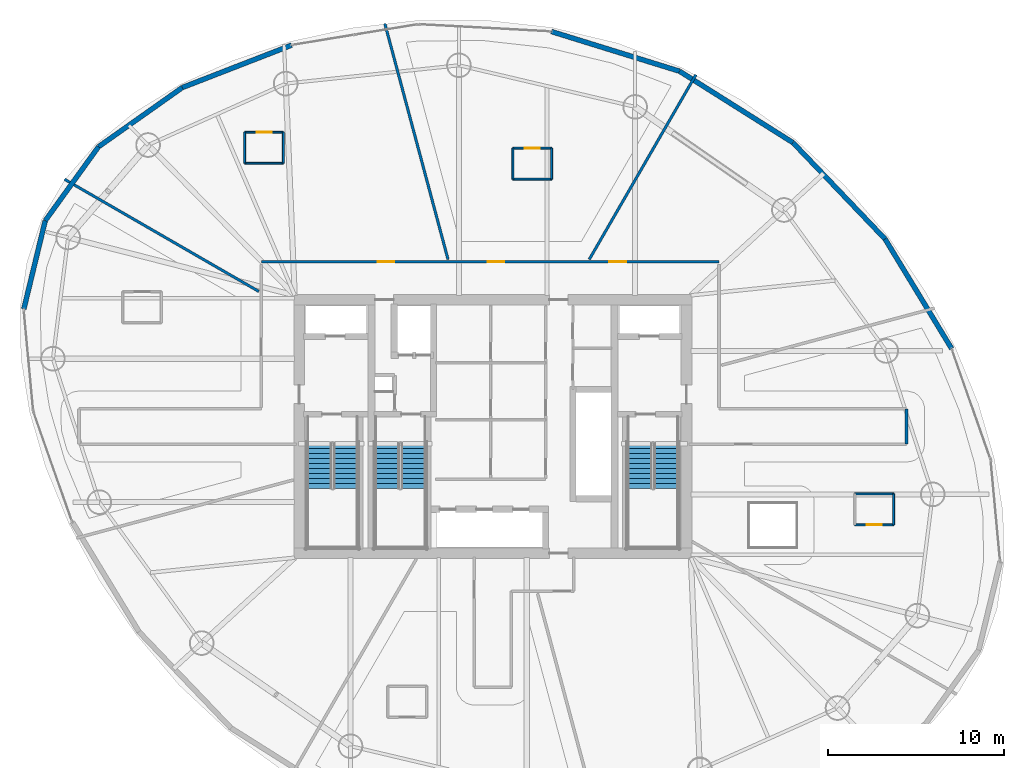
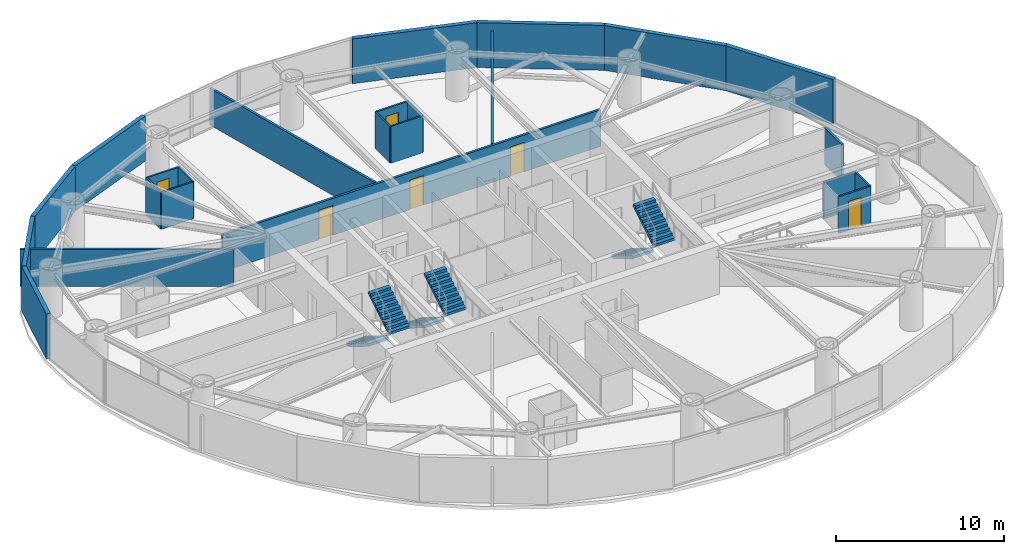
# One storey, part 17 of 20: 24 walls, 6 doors, 6 stair flights, 6 openings, 3 elements without a shape of their own.
"""IFC4 building model written with IfcOpenShell, lengths in metres."""

from ifc_helpers import new_model, si_unit, direction, frame, frame_2d, origin, place, context, subcontext, project, spatial, polyline, rectangle, outline, extrude, material, layer, layer_set, type_object, element, fill, aggregate, save


model = new_model("IFC4")

# Units and contexts
model_context = context("Model", 3, precision=1e-05, world=origin(), true_north=direction((0.0, 1.0)))
body_context = subcontext(model_context, "Body", "Model", "MODEL_VIEW")
ifc_project = project(units=[si_unit("LENGTHUNIT", "METRE"), si_unit("AREAUNIT", "SQUARE_METRE"), si_unit("VOLUMEUNIT", "CUBIC_METRE"), si_unit("PLANEANGLEUNIT", "RADIAN"), si_unit("MASSUNIT", "GRAM", prefix="KILO")], contexts=[model_context])

# Site, building, storey
site_placement = place(None, origin())
site = spatial("IfcSite", under=ifc_project, at=site_placement, CompositionType="ELEMENT")
building_placement = place(site_placement, origin())
building = spatial("IfcBuilding", under=site, at=building_placement, Name="Bramvorn Convention Spire", CompositionType="ELEMENT")
storey_placement = place(building_placement, frame((0.0, 0.0, 130.800048828125)))
storey = spatial("IfcBuildingStorey", under=building, at=storey_placement, Name="L32", CompositionType="ELEMENT", Elevation=130.800048828125)

# Walls
ifc_material_1 = material(Name="Precast Concrete C40/50 with Bronze Terracotta Rainscreen", Category="masonry")
ifc_layer_1 = layer(ifc_material_1, 0.300048828125)
ifc_layer_set_1 = layer_set([ifc_layer_1], Name="Precast Concrete C40/50 with Bronze Terracotta Rainscreen - WL-EXT-BRONZE-300")
wall_type_1 = type_object("IfcWallType", Name="WL-EXT-BRONZE-300", PredefinedType="SOLIDWALL", material=ifc_layer_set_1)
wall_1_placement = place(storey_placement, frame((60.279052734375, 36.65087890625, 0.0), z_axis=(0.0, 0.0, 1.0), x_axis=(0.519136267089, -0.854691485972, 0.0)))
element("IfcWall", 1, at=wall_1_placement, inside=storey, type_object=wall_type_1, Name="L32 expressed bronze Gothic lancet pier wall 04", PredefinedType="SOLIDWALL", context=body_context, shape_type="SweptSolid", body=[
    extrude(rectangle(XDim=7.291748046875, YDim=0.280029296875, at=frame_2d((3.64599609375, 0.0))), origin(), (0.0, 0.0, 1.0), 3.260009765625),
])
wall_2_placement = place(storey_placement, frame((55.049560546875, 42.123046875, 0.0), z_axis=(0.0, 0.0, 1.0), x_axis=(0.690894487997, -0.722955604761, 0.0)))
element("IfcWall", 2, at=wall_2_placement, inside=storey, type_object=wall_type_1, Name="L32 expressed bronze Gothic lancet pier wall 05", PredefinedType="SOLIDWALL", context=body_context, shape_type="SweptSolid", body=[
    extrude(rectangle(XDim=7.569091796875, YDim=0.280029296875, at=frame_2d((3.78466796875, 0.0))), origin(), (0.0, 0.0, 1.0), 3.260009765625),
])
for number, where, z_axis, x_axis, name in (
    (3, (48.603515625, 46.181884765625, 0.0), (0.0, 0.0, 1.0), (0.846219994599, -0.532833670803, 0.0), "L32 expressed bronze Gothic lancet pier wall 06"),
    (4, (41.326904296875, 48.434814453125, 0.0), (0.0, 0.0, 1.0), (0.955261961689, -0.295761026085, 0.0), "L32 expressed bronze Gothic lancet pier wall 07"),
):
    element("IfcWall", number, at=place(storey_placement, frame(where, z_axis=z_axis, x_axis=x_axis)), inside=storey, type_object=wall_type_1, Name=name, PredefinedType="SOLIDWALL", context=body_context, shape_type="SweptSolid", body=[
        extrude(rectangle(XDim=7.617431640625, YDim=0.280029296875, at=frame_2d((3.80859375, 0.0))), origin(), (0.0, 0.0, 1.0), 3.260009765625),
    ])
wall_3_placement = place(storey_placement, frame((20.35986328125, 45.2509765625, 0.0), z_axis=(0.0, 0.0, 1.0), x_axis=(0.932242322599, 0.361834564347, 0.0)))
element("IfcWall", 5, at=wall_3_placement, inside=storey, type_object=wall_type_1, Name="L32 expressed bronze Gothic lancet pier wall 10", PredefinedType="SOLIDWALL", context=body_context, shape_type="SweptSolid", body=[
    extrude(rectangle(XDim=6.6650390625, YDim=0.280029296875, at=frame_2d((3.33251953125, 0.0))), origin(), (0.0, 0.0, 1.0), 3.260009765625),
])
wall_4_placement = place(storey_placement, frame((15.60498046875, 41.889892578125, 0.0), z_axis=(0.0, 0.0, 1.0), x_axis=(0.816587720418, 0.577221356901, 0.0)))
element("IfcWall", 6, at=wall_4_placement, inside=storey, type_object=wall_type_1, Name="L32 expressed bronze Gothic lancet pier wall 11", PredefinedType="SOLIDWALL", context=body_context, shape_type="SweptSolid", body=[
    extrude(rectangle(XDim=5.82275390625, YDim=0.280029296875, at=frame_2d((2.911376953125, 0.0))), origin(), (0.0, 0.0, 1.0), 3.260009765625),
])
for number, where, z_axis, x_axis, name in (
    (7, (12.579833984375, 37.69189453125, 0.0), (0.0, 0.0, 1.0), (0.584634057869, 0.811297120899, 0.0), "L32 expressed bronze Gothic lancet pier wall 12"),
    (8, (11.361328125, 32.6630859375, 0.0), (0.0, 0.0, 1.0), (0.235490639643, 0.971876616984, 0.0), "L32 expressed bronze Gothic lancet pier wall 13"),
):
    element("IfcWall", number, at=place(storey_placement, frame(where, z_axis=z_axis, x_axis=x_axis)), inside=storey, type_object=wall_type_1, Name=name, PredefinedType="SOLIDWALL", context=body_context, shape_type="SweptSolid", body=[
        extrude(rectangle(XDim=5.17431640625, YDim=0.280029296875, at=frame_2d((2.587158203125, 0.0))), origin(), (0.0, 0.0, 1.0), 3.260009765625),
    ])
ifc_material_2 = material(Name="Lightweight En-Suite & Wet-Wall Partition", Category="gypsum")
ifc_layer_2 = layer(ifc_material_2, 0.110107421875)
ifc_layer_set_2 = layer_set([ifc_layer_2], Name="Lightweight En-Suite & Wet-Wall Partition - WL-PART-110")
wall_type_2 = type_object("IfcWallType", Name="WL-PART-110", PredefinedType="PARTITIONING", material=ifc_layer_set_2)
wall_5_placement = place(storey_placement, frame((39.138671875, 40.0537109375, 0.0), z_axis=(0.0, 0.0, 1.0), x_axis=(1.0, 0.0, 0.0)))
element("IfcWall", 9, at=wall_5_placement, inside=storey, type_object=wall_type_2, Name="Hotel Suite 3202 en-suite south wall", PredefinedType="PARTITIONING", context=body_context, shape_type="SweptSolid", body=[
    extrude(rectangle(XDim=2.199951171875, YDim=0.110107421875, at=frame_2d((1.10009765625, 0.0))), origin(), (0.0, 0.0, 1.0), 2.675048828125),
])

# Wall, opening, door
wall_6_placement = place(storey_placement, frame((39.138671875, 41.813720703125, 0.0), z_axis=(0.0, 0.0, 1.0), x_axis=(1.0, 0.0, 0.0)))
wall_6 = element("IfcWall", 10, at=wall_6_placement, inside=storey, type_object=wall_type_2, Name="Hotel Suite 3202 en-suite north wall", PredefinedType="PARTITIONING", context=body_context, shape_type="SweptSolid", body=[
    extrude(rectangle(XDim=2.199951171875, YDim=0.110107421875, at=frame_2d((1.10009765625, 0.0))), origin(), (0.0, 0.0, 1.0), 2.675048828125),
])
opening_1_placement = place(wall_6_placement, frame((0.679931640625, 0.0, 0.0)))
opening_1 = element("IfcOpeningElement", 11, at=opening_1_placement, cuts=wall_6, Name="Opening DI-085", PredefinedType="OPENING", context=body_context, shape_type="SweptSolid", body=[
    extrude(rectangle(XDim=0.85009765625, YDim=2.10009765625, at=frame_2d((0.425048828125, 1.050048828125))), frame((0.0, 0.06494140625, 0.0), z_axis=(0.0, -1.0, 0.0), x_axis=(1.0, 0.0, 0.0)), (0.0, 0.0, 1.0), 0.130126953125),
])
ifc_material_3 = material(Name="En-Suite & Restroom Privacy Door", Category="wood")
door_type_1 = type_object("IfcDoorType", Name="DR-INT-850", OperationType="NOTDEFINED", PredefinedType="DOOR", material=ifc_material_3)
door_1_placement = place(opening_1_placement, origin())
door_1 = element("IfcDoor", 12, at=door_1_placement, inside=storey, type_object=door_type_1, Name="Hotel Suite 3202 En-Suite Bathroom door", OperationType="SINGLE_SWING_LEFT", OverallHeight=2.10009765625, OverallWidth=0.85009765625, PredefinedType="DOOR", context=body_context, shape_type="SweptSolid", body=[
    extrude(rectangle(XDim=0.85009765625, YDim=2.10009765625, at=frame_2d((0.425048828125, 1.050048828125))), frame((0.0, 0.02490234375, 0.0), z_axis=(0.0, -1.0, 0.0), x_axis=(1.0, 0.0, 0.0)), (0.0, 0.0, 1.0), 0.050048828125),
])
fill(opening_1, door_1)

# Walls
for number, where, z_axis, x_axis, name in (
    (13, (39.138671875, 40.0537109375, 0.0), (0.0, 0.0, 1.0), (0.0, 1.0, 0.0), "Hotel Suite 3202 en-suite west wall"),
    (14, (41.338623046875, 40.0537109375, 0.0), (0.0, 0.0, 1.0), (0.0, 1.0, 0.0), "Hotel Suite 3202 en-suite east wall"),
):
    element("IfcWall", number, at=place(storey_placement, frame(where, z_axis=z_axis, x_axis=x_axis)), inside=storey, type_object=wall_type_2, Name=name, PredefinedType="PARTITIONING", context=body_context, shape_type="SweptSolid", body=[
        extrude(rectangle(XDim=1.760009765625, YDim=0.110107421875, at=frame_2d((0.8798828125, 0.0))), origin(), (0.0, 0.0, 1.0), 2.675048828125),
    ])
wall_7_placement = place(storey_placement, frame((23.90185546875, 40.955078125, 0.0), z_axis=(0.0, 0.0, 1.0), x_axis=(1.0, 0.0, 0.0)))
element("IfcWall", 15, at=wall_7_placement, inside=storey, type_object=wall_type_2, Name="Hotel Suite 3203 en-suite south wall", PredefinedType="PARTITIONING", context=body_context, shape_type="SweptSolid", body=[
    extrude(rectangle(XDim=2.199951171875, YDim=0.110107421875, at=frame_2d((1.10009765625, 0.0))), origin(), (0.0, 0.0, 1.0), 2.675048828125),
])

# Wall, opening, door
wall_8_placement = place(storey_placement, frame((23.90185546875, 42.715087890625, 0.0), z_axis=(0.0, 0.0, 1.0), x_axis=(1.0, 0.0, 0.0)))
wall_8 = element("IfcWall", 16, at=wall_8_placement, inside=storey, type_object=wall_type_2, Name="Hotel Suite 3203 en-suite north wall", PredefinedType="PARTITIONING", context=body_context, shape_type="SweptSolid", body=[
    extrude(rectangle(XDim=2.199951171875, YDim=0.110107421875, at=frame_2d((1.10009765625, 0.0))), origin(), (0.0, 0.0, 1.0), 2.675048828125),
])
opening_2_placement = place(wall_8_placement, frame((0.679931640625, 0.0, 0.0)))
opening_2 = element("IfcOpeningElement", 17, at=opening_2_placement, cuts=wall_8, Name="Opening DI-085", PredefinedType="OPENING", context=body_context, shape_type="SweptSolid", body=[
    extrude(rectangle(XDim=0.85009765625, YDim=2.10009765625, at=frame_2d((0.425048828125, 1.050048828125))), frame((0.0, 0.06494140625, 0.0), z_axis=(0.0, -1.0, 0.0), x_axis=(1.0, 0.0, 0.0)), (0.0, 0.0, 1.0), 0.130126953125),
])
door_2_placement = place(opening_2_placement, origin())
door_2 = element("IfcDoor", 18, at=door_2_placement, inside=storey, type_object=door_type_1, Name="Hotel Suite 3203 En-Suite Bathroom door", OperationType="SINGLE_SWING_LEFT", OverallHeight=2.10009765625, OverallWidth=0.85009765625, PredefinedType="DOOR", context=body_context, shape_type="SweptSolid", body=[
    extrude(rectangle(XDim=0.85009765625, YDim=2.10009765625, at=frame_2d((0.425048828125, 1.050048828125))), frame((0.0, 0.02490234375, 0.0), z_axis=(0.0, -1.0, 0.0), x_axis=(1.0, 0.0, 0.0)), (0.0, 0.0, 1.0), 0.050048828125),
])
fill(opening_2, door_2)

# Walls
for number, where, z_axis, x_axis, name in (
    (19, (23.90185546875, 40.955078125, 0.0), (0.0, 0.0, 1.0), (0.0, 1.0, 0.0), "Hotel Suite 3203 en-suite west wall"),
    (20, (26.101806640625, 40.955078125, 0.0), (0.0, 0.0, 1.0), (0.0, 1.0, 0.0), "Hotel Suite 3203 en-suite east wall"),
):
    element("IfcWall", number, at=place(storey_placement, frame(where, z_axis=z_axis, x_axis=x_axis)), inside=storey, type_object=wall_type_2, Name=name, PredefinedType="PARTITIONING", context=body_context, shape_type="SweptSolid", body=[
        extrude(rectangle(XDim=1.760009765625, YDim=0.110107421875, at=frame_2d((0.8798828125, 0.0))), origin(), (0.0, 0.0, 1.0), 2.675048828125),
    ])

# Wall, opening, door
wall_9_placement = place(storey_placement, frame((58.5693359375, 20.41357421875, 0.0), z_axis=(0.0, 0.0, 1.0), x_axis=(1.0, 0.0, 0.0)))
wall_9 = element("IfcWall", 21, at=wall_9_placement, inside=storey, type_object=wall_type_2, Name="Hotel Suite 3208 en-suite south wall", PredefinedType="PARTITIONING", context=body_context, shape_type="SweptSolid", body=[
    extrude(rectangle(XDim=2.199951171875, YDim=0.110107421875, at=frame_2d((1.10009765625, 0.0))), origin(), (0.0, 0.0, 1.0), 2.675048828125),
])
opening_3_placement = place(wall_9_placement, frame((0.679931640625, 0.0, 0.0)))
opening_3 = element("IfcOpeningElement", 22, at=opening_3_placement, cuts=wall_9, Name="Opening DI-085", PredefinedType="OPENING", context=body_context, shape_type="SweptSolid", body=[
    extrude(rectangle(XDim=0.85009765625, YDim=2.10009765625, at=frame_2d((0.425048828125, 1.050048828125))), frame((0.0, 0.06494140625, 0.0), z_axis=(0.0, -1.0, 0.0), x_axis=(1.0, 0.0, 0.0)), (0.0, 0.0, 1.0), 0.130126953125),
])
door_3_placement = place(opening_3_placement, origin())
door_3 = element("IfcDoor", 23, at=door_3_placement, inside=storey, type_object=door_type_1, Name="Hotel Suite 3208 En-Suite Bathroom door", OperationType="SINGLE_SWING_LEFT", OverallHeight=2.10009765625, OverallWidth=0.85009765625, PredefinedType="DOOR", context=body_context, shape_type="SweptSolid", body=[
    extrude(rectangle(XDim=0.85009765625, YDim=2.10009765625, at=frame_2d((0.425048828125, 1.050048828125))), frame((0.0, 0.02490234375, 0.0), z_axis=(0.0, -1.0, 0.0), x_axis=(1.0, 0.0, 0.0)), (0.0, 0.0, 1.0), 0.050048828125),
])
fill(opening_3, door_3)

# Walls
wall_10_placement = place(storey_placement, frame((58.5693359375, 22.173583984375, 0.0), z_axis=(0.0, 0.0, 1.0), x_axis=(1.0, 0.0, 0.0)))
element("IfcWall", 24, at=wall_10_placement, inside=storey, type_object=wall_type_2, Name="Hotel Suite 3208 en-suite north wall", PredefinedType="PARTITIONING", context=body_context, shape_type="SweptSolid", body=[
    extrude(rectangle(XDim=2.199951171875, YDim=0.110107421875, at=frame_2d((1.10009765625, 0.0))), origin(), (0.0, 0.0, 1.0), 2.675048828125),
])
wall_11_placement = place(storey_placement, frame((60.769287109375, 20.41357421875, 0.0), z_axis=(0.0, 0.0, 1.0), x_axis=(0.0, 1.0, 0.0)))
element("IfcWall", 25, at=wall_11_placement, inside=storey, type_object=wall_type_2, Name="Hotel Suite 3208 en-suite east wall", PredefinedType="PARTITIONING", context=body_context, shape_type="SweptSolid", body=[
    extrude(rectangle(XDim=1.760009765625, YDim=0.110107421875, at=frame_2d((0.8798828125, 0.0))), origin(), (0.0, 0.0, 1.0), 2.675048828125),
])

# Wall, openings, doors
ifc_material_4 = material(Name="Acoustic Metal-Stud Tenant/Corridor Partition", Category="gypsum")
ifc_layer_3 = layer(ifc_material_4, 0.14990234375)
ifc_layer_set_3 = layer_set([ifc_layer_3], Name="Acoustic Metal-Stud Tenant/Corridor Partition - WL-PART-150")
wall_type_3 = type_object("IfcWallType", Name="WL-PART-150", PredefinedType="PARTITIONING", material=ifc_layer_set_3)
wall_12_placement = place(storey_placement, frame((24.85009765625, 35.35009765625, 0.0), z_axis=(0.0, 0.0, 1.0), x_axis=(1.0, 0.0, 0.0)))
wall_12 = element("IfcWall", 26, at=wall_12_placement, inside=storey, type_object=wall_type_3, Name="L32 North gallery wall", PredefinedType="PARTITIONING", context=body_context, shape_type="SweptSolid", body=[
    extrude(rectangle(XDim=26.0, YDim=0.14990234375, at=frame_2d((13.0, 0.0))), origin(), (0.0, 0.0, 1.0), 2.675048828125),
])
opening_4_placement = place(wall_12_placement, frame((19.765869140625, 0.0, 0.0)))
opening_4 = element("IfcOpeningElement", 27, at=opening_4_placement, cuts=wall_12, Name="Opening DH-095", PredefinedType="OPENING", context=body_context, shape_type="SweptSolid", body=[
    extrude(rectangle(XDim=0.949951171875, YDim=2.14990234375, at=frame_2d((0.47509765625, 1.074951171875))), frame((0.0, 0.0849609375, 0.0), z_axis=(0.0, -1.0, 0.0), x_axis=(1.0, 0.0, 0.0)), (0.0, 0.0, 1.0), 0.169921875),
])
opening_5_placement = place(wall_12_placement, frame((12.851806640625, 0.0, 0.0)))
opening_5 = element("IfcOpeningElement", 28, at=opening_5_placement, cuts=wall_12, Name="Opening DH-095", PredefinedType="OPENING", context=body_context, shape_type="SweptSolid", body=[
    extrude(rectangle(XDim=0.949951171875, YDim=2.14990234375, at=frame_2d((0.47509765625, 1.074951171875))), frame((0.0, 0.0849609375, 0.0), z_axis=(0.0, -1.0, 0.0), x_axis=(1.0, 0.0, 0.0)), (0.0, 0.0, 1.0), 0.169921875),
])
opening_6_placement = place(wall_12_placement, frame((6.61572265625, 0.0, 0.0)))
opening_6 = element("IfcOpeningElement", 29, at=opening_6_placement, cuts=wall_12, Name="Opening DH-095", PredefinedType="OPENING", context=body_context, shape_type="SweptSolid", body=[
    extrude(rectangle(XDim=0.949951171875, YDim=2.14990234375, at=frame_2d((0.47509765625, 1.074951171875))), frame((0.0, 0.0849609375, 0.0), z_axis=(0.0, -1.0, 0.0), x_axis=(1.0, 0.0, 0.0)), (0.0, 0.0, 1.0), 0.169921875),
])
ifc_material_5 = material(Name="Solid-Core Acoustic Guestroom Entry Door", Category="wood")
door_type_2 = type_object("IfcDoorType", Name="DR-HOTEL-950", OperationType="NOTDEFINED", PredefinedType="DOOR", material=ifc_material_5)
door_4_placement = place(opening_4_placement, origin())
door_4 = element("IfcDoor", 30, at=door_4_placement, inside=storey, type_object=door_type_2, Name="L32 Hospitality Lounge 1 door", OperationType="SINGLE_SWING_LEFT", OverallHeight=2.14990234375, OverallWidth=0.949951171875, PredefinedType="DOOR", context=body_context, shape_type="SweptSolid", body=[
    extrude(rectangle(XDim=0.949951171875, YDim=2.14990234375, at=frame_2d((0.47509765625, 1.074951171875))), frame((0.0, 0.02490234375, 0.0), z_axis=(0.0, -1.0, 0.0), x_axis=(1.0, 0.0, 0.0)), (0.0, 0.0, 1.0), 0.050048828125),
])
fill(opening_4, door_4)
door_5_placement = place(opening_5_placement, origin())
door_5 = element("IfcDoor", 31, at=door_5_placement, inside=storey, type_object=door_type_2, Name="Hotel Suite 3202 entry door", OperationType="SINGLE_SWING_LEFT", OverallHeight=2.14990234375, OverallWidth=0.949951171875, PredefinedType="DOOR", context=body_context, shape_type="SweptSolid", body=[
    extrude(rectangle(XDim=0.949951171875, YDim=2.14990234375, at=frame_2d((0.47509765625, 1.074951171875))), frame((0.0, 0.02490234375, 0.0), z_axis=(0.0, -1.0, 0.0), x_axis=(1.0, 0.0, 0.0)), (0.0, 0.0, 1.0), 0.050048828125),
])
fill(opening_5, door_5)
door_6_placement = place(opening_6_placement, origin())
door_6 = element("IfcDoor", 32, at=door_6_placement, inside=storey, type_object=door_type_2, Name="Hotel Suite 3203 entry door", OperationType="SINGLE_SWING_LEFT", OverallHeight=2.14990234375, OverallWidth=0.949951171875, PredefinedType="DOOR", context=body_context, shape_type="SweptSolid", body=[
    extrude(rectangle(XDim=0.949951171875, YDim=2.14990234375, at=frame_2d((0.47509765625, 1.074951171875))), frame((0.0, 0.02490234375, 0.0), z_axis=(0.0, -1.0, 0.0), x_axis=(1.0, 0.0, 0.0)), (0.0, 0.0, 1.0), 0.050048828125),
])
fill(opening_6, door_6)

# Walls
wall_13_placement = place(storey_placement, frame((61.5, 25.0, 0.0), z_axis=(0.0, 0.0, 1.0), x_axis=(0.0, 1.0, 0.0)))
element("IfcWall", 33, at=wall_13_placement, inside=storey, type_object=wall_type_3, Name="L32 East wing spine end wall", PredefinedType="PARTITIONING", context=body_context, shape_type="SweptSolid", body=[
    extrude(rectangle(XDim=2.0, YDim=0.14990234375, at=frame_2d((1.0, 0.0))), origin(), (0.0, 0.0, 1.0), 2.675048828125),
])
wall_14_placement = place(storey_placement, frame((43.47900390625, 35.489990234375, 0.0), z_axis=(0.0, 0.0, 1.0), x_axis=(0.499996899167, 0.866027194044, 0.0)))
element("IfcWall", 34, at=wall_14_placement, inside=storey, type_object=wall_type_3, Name="L32 Guestroom demising wall 2", PredefinedType="PARTITIONING", context=body_context, shape_type="SweptSolid", body=[
    extrude(rectangle(XDim=12.115234375, YDim=0.14990234375, at=frame_2d((6.0576171875, 0.0))), origin(), (0.0, 0.0, 1.0), 2.675048828125),
])
wall_15_placement = place(storey_placement, frame((35.457275390625, 35.489990234375, 0.0), z_axis=(0.0, 0.0, 1.0), x_axis=(-0.258816153921, 0.965926600974, 0.0)))
element("IfcWall", 35, at=wall_15_placement, inside=storey, type_object=wall_type_3, Name="L32 Guestroom demising wall 3", PredefinedType="PARTITIONING", context=body_context, shape_type="SweptSolid", body=[
    extrude(rectangle(XDim=13.869384765625, YDim=0.14990234375, at=frame_2d((6.9345703125, 0.0))), origin(), (0.0, 0.0, 1.0), 2.675048828125),
])
wall_16_placement = place(storey_placement, frame((24.7099609375, 33.673095703125, 0.0), z_axis=(0.0, 0.0, 1.0), x_axis=(-0.866028956608, 0.499993846279, 0.0)))
element("IfcWall", 36, at=wall_16_placement, inside=storey, type_object=wall_type_3, Name="L32 Guestroom demising wall 4", PredefinedType="PARTITIONING", context=body_context, shape_type="SweptSolid", body=[
    extrude(rectangle(XDim=12.744873046875, YDim=0.14990234375, at=frame_2d((6.37255859375, 0.0))), origin(), (0.0, 0.0, 1.0), 2.675048828125),
])

# Stair, stair flights
ifc_material_6 = material(Name="Concrete C40/50 Precast Stair", Category="concrete")
stair_type = type_object("IfcStairType", Name="ST-TOWER-1550", PredefinedType="HALF_TURN_STAIR", material=ifc_material_6)
stair_1_placement = place(storey_placement, origin())
stair_1 = element("IfcStair", 37, at=stair_1_placement, inside=storey, type_object=stair_type, Name="L32 Protected Exit Stair ST1", PredefinedType="HALF_TURN_STAIR")
ifc_material_7 = material(Name="Concrete C40/50 Precast Stair Flight", Category="concrete")
stair_flight_type = type_object("IfcStairFlightType", Name="STF-TOWER-1550", PredefinedType="STRAIGHT", material=ifc_material_7)
stair_flight_1_placement = place(storey_placement, frame((28.155029296875, 25.050048828125, 0.0), z_axis=(0.0, 0.0, 1.0), x_axis=(0.0, -1.0, 0.0)))
stair_flight_1 = element("IfcStairFlight", 38, at=stair_flight_1_placement, type_object=stair_flight_type, Name="ST1 flight 1", NumberOfRisers=10, NumberOfTreads=9, PredefinedType="STRAIGHT", RiserHeight=0.175, TreadLength=0.285, context=body_context, shape_type="SweptSolid", body=[
    extrude(outline(polyline([(0.0, 0.0), (0.0, 0.175048828125), (0.284912109375, 0.175048828125), (0.284912109375, 0.35009765625), (0.570068359375, 0.35009765625), (0.570068359375, 0.52490234375), (0.85498046875, 0.52490234375), (0.85498046875, 0.699951171875), (1.139892578125, 0.699951171875), (1.139892578125, 0.875), (1.425048828125, 0.875), (1.425048828125, 1.050048828125), (1.7099609375, 1.050048828125), (1.7099609375, 1.22509765625), (1.9951171875, 1.22509765625), (1.9951171875, 1.39990234375), (2.280029296875, 1.39990234375), (2.280029296875, 1.574951171875), (2.56494140625, 1.574951171875), (2.56494140625, 1.75), (2.56494140625, 1.399169921875), (0.286376953125, 0.0), (0.0, 0.0)])), frame((0.0, 0.705078125, 0.0), z_axis=(0.0, -1.0, 0.0), x_axis=(1.0, 0.0, 0.0)), (0.0, 0.0, 1.0), 1.409912109375),
])
stair_flight_2_placement = place(storey_placement, frame((29.64501953125, 22.485107421875, 1.75), z_axis=(0.0, 0.0, 1.0), x_axis=(0.0, 1.0, 0.0)))
stair_flight_2 = element("IfcStairFlight", 39, at=stair_flight_2_placement, type_object=stair_flight_type, Name="ST1 flight 2", NumberOfRisers=10, NumberOfTreads=9, PredefinedType="STRAIGHT", RiserHeight=0.175, TreadLength=0.285, context=body_context, shape_type="SweptSolid", body=[
    extrude(outline(polyline([(0.0, 0.0), (0.0, 0.175048828125), (0.284912109375, 0.175048828125), (0.284912109375, 0.35009765625), (0.570068359375, 0.35009765625), (0.570068359375, 0.52490234375), (0.85498046875, 0.52490234375), (0.85498046875, 0.699951171875), (1.139892578125, 0.699951171875), (1.139892578125, 0.875), (1.425048828125, 0.875), (1.425048828125, 1.050048828125), (1.7099609375, 1.050048828125), (1.7099609375, 1.22509765625), (1.9951171875, 1.22509765625), (1.9951171875, 1.39990234375), (2.280029296875, 1.39990234375), (2.280029296875, 1.574951171875), (2.56494140625, 1.574951171875), (2.56494140625, 1.75), (2.56494140625, 1.399169921875), (0.286376953125, 0.0), (0.0, 0.0)])), frame((0.0, 0.705078125, 0.0), z_axis=(0.0, -1.0, 0.0), x_axis=(1.0, 0.0, 0.0)), (0.0, 0.0, 1.0), 1.409912109375),
])
aggregate(stair_1, [stair_flight_1, stair_flight_2])

stair_2_placement = place(storey_placement, origin())
stair_2 = element("IfcStair", 40, at=stair_2_placement, inside=storey, type_object=stair_type, Name="L32 Protected Exit Stair ST2", PredefinedType="HALF_TURN_STAIR")
stair_flight_3_placement = place(storey_placement, frame((46.35498046875, 25.050048828125, 0.0), z_axis=(0.0, 0.0, 1.0), x_axis=(0.0, -1.0, 0.0)))
stair_flight_3 = element("IfcStairFlight", 41, at=stair_flight_3_placement, type_object=stair_flight_type, Name="ST2 flight 1", NumberOfRisers=10, NumberOfTreads=9, PredefinedType="STRAIGHT", RiserHeight=0.175, TreadLength=0.285, context=body_context, shape_type="SweptSolid", body=[
    extrude(outline(polyline([(0.0, 0.0), (0.0, 0.175048828125), (0.284912109375, 0.175048828125), (0.284912109375, 0.35009765625), (0.570068359375, 0.35009765625), (0.570068359375, 0.52490234375), (0.85498046875, 0.52490234375), (0.85498046875, 0.699951171875), (1.139892578125, 0.699951171875), (1.139892578125, 0.875), (1.425048828125, 0.875), (1.425048828125, 1.050048828125), (1.7099609375, 1.050048828125), (1.7099609375, 1.22509765625), (1.9951171875, 1.22509765625), (1.9951171875, 1.39990234375), (2.280029296875, 1.39990234375), (2.280029296875, 1.574951171875), (2.56494140625, 1.574951171875), (2.56494140625, 1.75), (2.56494140625, 1.399169921875), (0.286376953125, 0.0), (0.0, 0.0)])), frame((0.0, 0.705078125, 0.0), z_axis=(0.0, -1.0, 0.0), x_axis=(1.0, 0.0, 0.0)), (0.0, 0.0, 1.0), 1.409912109375),
])
stair_flight_4_placement = place(storey_placement, frame((47.844970703125, 22.485107421875, 1.75), z_axis=(0.0, 0.0, 1.0), x_axis=(0.0, 1.0, 0.0)))
stair_flight_4 = element("IfcStairFlight", 42, at=stair_flight_4_placement, type_object=stair_flight_type, Name="ST2 flight 2", NumberOfRisers=10, NumberOfTreads=9, PredefinedType="STRAIGHT", RiserHeight=0.175, TreadLength=0.285, context=body_context, shape_type="SweptSolid", body=[
    extrude(outline(polyline([(0.0, 0.0), (0.0, 0.175048828125), (0.284912109375, 0.175048828125), (0.284912109375, 0.35009765625), (0.570068359375, 0.35009765625), (0.570068359375, 0.52490234375), (0.85498046875, 0.52490234375), (0.85498046875, 0.699951171875), (1.139892578125, 0.699951171875), (1.139892578125, 0.875), (1.425048828125, 0.875), (1.425048828125, 1.050048828125), (1.7099609375, 1.050048828125), (1.7099609375, 1.22509765625), (1.9951171875, 1.22509765625), (1.9951171875, 1.39990234375), (2.280029296875, 1.39990234375), (2.280029296875, 1.574951171875), (2.56494140625, 1.574951171875), (2.56494140625, 1.75), (2.56494140625, 1.399169921875), (0.286376953125, 0.0), (0.0, 0.0)])), frame((0.0, 0.705078125, 0.0), z_axis=(0.0, -1.0, 0.0), x_axis=(1.0, 0.0, 0.0)), (0.0, 0.0, 1.0), 1.409912109375),
])
aggregate(stair_2, [stair_flight_3, stair_flight_4])

stair_3_placement = place(storey_placement, origin())
stair_3 = element("IfcStair", 43, at=stair_3_placement, inside=storey, type_object=stair_type, Name="L32 Protected Exit Stair ST3", PredefinedType="HALF_TURN_STAIR")
stair_flight_5_placement = place(storey_placement, frame((32.0048828125, 25.050048828125, 0.0), z_axis=(0.0, 0.0, 1.0), x_axis=(0.0, -1.0, 0.0)))
stair_flight_5 = element("IfcStairFlight", 44, at=stair_flight_5_placement, type_object=stair_flight_type, Name="ST3 flight 1", NumberOfRisers=10, NumberOfTreads=9, PredefinedType="STRAIGHT", RiserHeight=0.175, TreadLength=0.285, context=body_context, shape_type="SweptSolid", body=[
    extrude(outline(polyline([(0.0, 0.0), (0.0, 0.175048828125), (0.284912109375, 0.175048828125), (0.284912109375, 0.35009765625), (0.570068359375, 0.35009765625), (0.570068359375, 0.52490234375), (0.85498046875, 0.52490234375), (0.85498046875, 0.699951171875), (1.139892578125, 0.699951171875), (1.139892578125, 0.875), (1.425048828125, 0.875), (1.425048828125, 1.050048828125), (1.7099609375, 1.050048828125), (1.7099609375, 1.22509765625), (1.9951171875, 1.22509765625), (1.9951171875, 1.39990234375), (2.280029296875, 1.39990234375), (2.280029296875, 1.574951171875), (2.56494140625, 1.574951171875), (2.56494140625, 1.75), (2.56494140625, 1.399169921875), (0.286376953125, 0.0), (0.0, 0.0)])), frame((0.0, 0.705078125, 0.0), z_axis=(0.0, -1.0, 0.0), x_axis=(1.0, 0.0, 0.0)), (0.0, 0.0, 1.0), 1.409912109375),
])
stair_flight_6_placement = place(storey_placement, frame((33.4951171875, 22.485107421875, 1.75), z_axis=(0.0, 0.0, 1.0), x_axis=(0.0, 1.0, 0.0)))
stair_flight_6 = element("IfcStairFlight", 45, at=stair_flight_6_placement, type_object=stair_flight_type, Name="ST3 flight 2", NumberOfRisers=10, NumberOfTreads=9, PredefinedType="STRAIGHT", RiserHeight=0.175, TreadLength=0.285, context=body_context, shape_type="SweptSolid", body=[
    extrude(outline(polyline([(0.0, 0.0), (0.0, 0.175048828125), (0.284912109375, 0.175048828125), (0.284912109375, 0.35009765625), (0.570068359375, 0.35009765625), (0.570068359375, 0.52490234375), (0.85498046875, 0.52490234375), (0.85498046875, 0.699951171875), (1.139892578125, 0.699951171875), (1.139892578125, 0.875), (1.425048828125, 0.875), (1.425048828125, 1.050048828125), (1.7099609375, 1.050048828125), (1.7099609375, 1.22509765625), (1.9951171875, 1.22509765625), (1.9951171875, 1.39990234375), (2.280029296875, 1.39990234375), (2.280029296875, 1.574951171875), (2.56494140625, 1.574951171875), (2.56494140625, 1.75), (2.56494140625, 1.399169921875), (0.286376953125, 0.0), (0.0, 0.0)])), frame((0.0, 0.705078125, 0.0), z_axis=(0.0, -1.0, 0.0), x_axis=(1.0, 0.0, 0.0)), (0.0, 0.0, 1.0), 1.409912109375),
])
aggregate(stair_3, [stair_flight_5, stair_flight_6])

save(model, "model.ifc")
